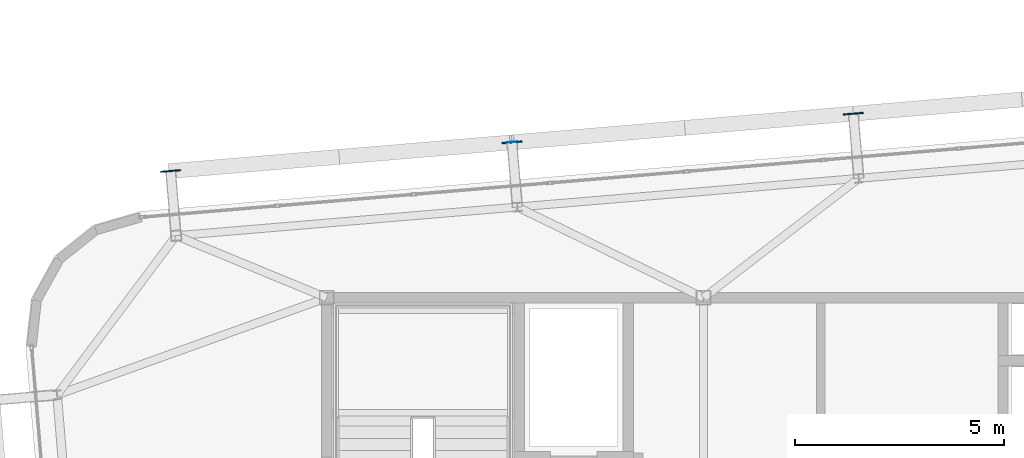
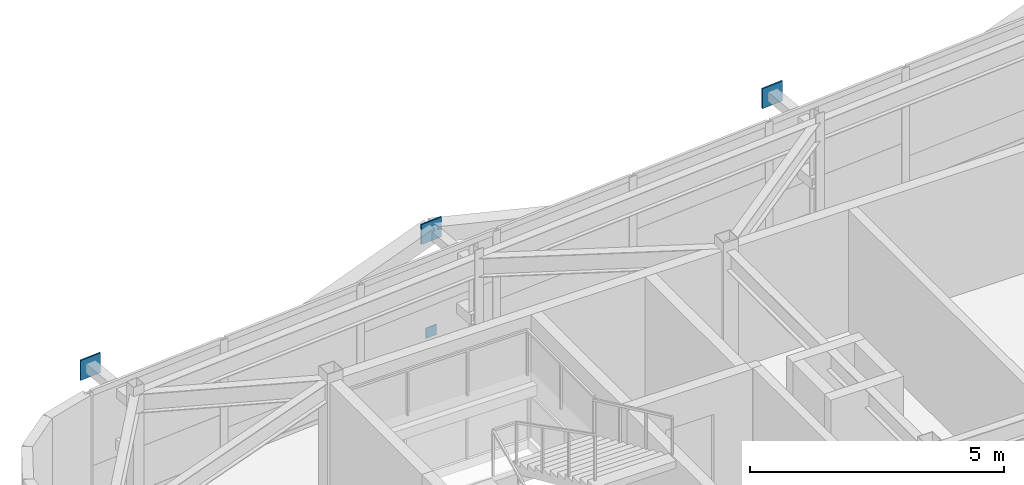
# One storey, part 38 of 44: 4 plates.
"""IFC4 building model written with IfcOpenShell, lengths in metres."""

from ifc_helpers import new_model, si_unit, direction, frame, origin, origin_2d, place, context, subcontext, project, spatial, rectangle, extrude, source, transform, mapped, material, layer, layer_set, type_object, element, save


model = new_model("IFC4")

# Units and contexts
model_context = context("Model", 3, precision=1e-05, world=origin(), true_north=direction((0.0, 1.0)))
body_context = subcontext(model_context, "Body", "Model", "MODEL_VIEW")
ifc_project = project(units=[si_unit("LENGTHUNIT", "METRE"), si_unit("AREAUNIT", "SQUARE_METRE"), si_unit("VOLUMEUNIT", "CUBIC_METRE"), si_unit("PLANEANGLEUNIT", "RADIAN"), si_unit("MASSUNIT", "GRAM", prefix="KILO")], contexts=[model_context])

# Site, building, storey
site_placement = place(None, origin())
site = spatial("IfcSite", under=ifc_project, at=site_placement, CompositionType="ELEMENT")
building_placement = place(site_placement, origin())
building = spatial("IfcBuilding", under=site, at=building_placement, Name="Taldren Reach Tower", CompositionType="ELEMENT")
storey_placement = place(building_placement, frame((0.0, 0.0, 191.449951171875)))
storey = spatial("IfcBuildingStorey", under=building, at=storey_placement, Name="L58", CompositionType="ELEMENT", Elevation=191.449951171875)

# Plates
ifc_material_1 = material(Name="Steel Gr 350 (C350L0)", Category="steel")
ifc_layer_1 = layer(ifc_material_1, 0.011962890625)
ifc_layer_set_1 = layer_set([ifc_layer_1], Name="Steel Gr 350 (C350L0)")
plate_type_1 = type_object("IfcPlateType", Name="PL-CAP-250", PredefinedType="SHEET", material=ifc_layer_set_1)
shared_shape_1 = source(origin(), body_context, "Body", "SweptSolid", [
    extrude(rectangle(XDim=0.25, YDim=0.011962890625, at=origin_2d()), origin(), (0.0, 0.0, 1.0), 0.25),
])
plate_placement = place(storey_placement, frame((23.4248046875, 35.718505859375, 0.094970703125), z_axis=(0.0, 0.0, 1.0), x_axis=(0.99649285925, 0.083677843332, 0.0)))
element("IfcPlate", 1, at=plate_placement, inside=storey, type_object=plate_type_1, Name="Tie strut end cap plate B4-N2 L58", PredefinedType="SHEET", context=body_context, shape_type="MappedRepresentation", body=[
    mapped(shared_shape_1, transform((0.0, 0.0, 0.0), scale=1.0)),
])
ifc_material_2 = material(Name="Steel Gr 450 (C450L0)", Category="steel")
ifc_layer_2 = layer(ifc_material_2, 0.031982421875)
ifc_layer_set_2 = layer_set([ifc_layer_2], Name="Steel Gr 450 (C450L0)")
plate_type_2 = type_object("IfcPlateType", Name="PL-GUSSET-32", PredefinedType="SHEET", material=ifc_layer_set_2)
shared_shape_2 = source(origin(), body_context, "Body", "SweptSolid", [
    extrude(rectangle(XDim=0.47998046875, YDim=0.031982421875, at=origin_2d()), origin(), (0.0, 0.0, 1.0), 0.47998046875),
])
for number, where, z_axis, x_axis, name in (
    (2, (15.274169921875, 35.028076171875, 2.41015625), (0.0, 0.0, 1.0), (0.99649285925, 0.083677843332, 0.0), "Exoskeleton star-node gusset plate B4-N1 L58"),
    (3, (23.42529296875, 35.712646484375, 2.41015625), (0.0, 0.0, 1.0), (0.99649285925, 0.083677843332, 0.0), "Exoskeleton star-node gusset plate B4-N2 L58"),
    (4, (31.57666015625, 36.39697265625, 2.41015625), (0.0, 0.0, 1.0), (0.99649285925, 0.083677843332, 0.0), "Exoskeleton star-node gusset plate B4-N3 L58"),
):
    element("IfcPlate", number, at=place(storey_placement, frame(where, z_axis=z_axis, x_axis=x_axis)), inside=storey, type_object=plate_type_2, Name=name, PredefinedType="SHEET", context=body_context, shape_type="MappedRepresentation", body=[
        mapped(shared_shape_2, transform((0.0, 0.0, 0.0), scale=1.0)),
    ])

save(model, "model.ifc")
